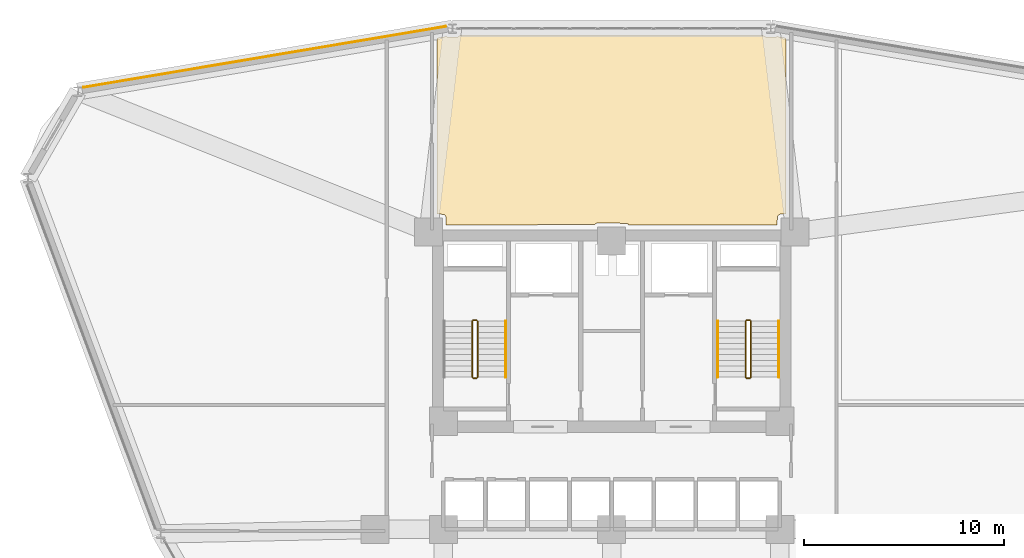
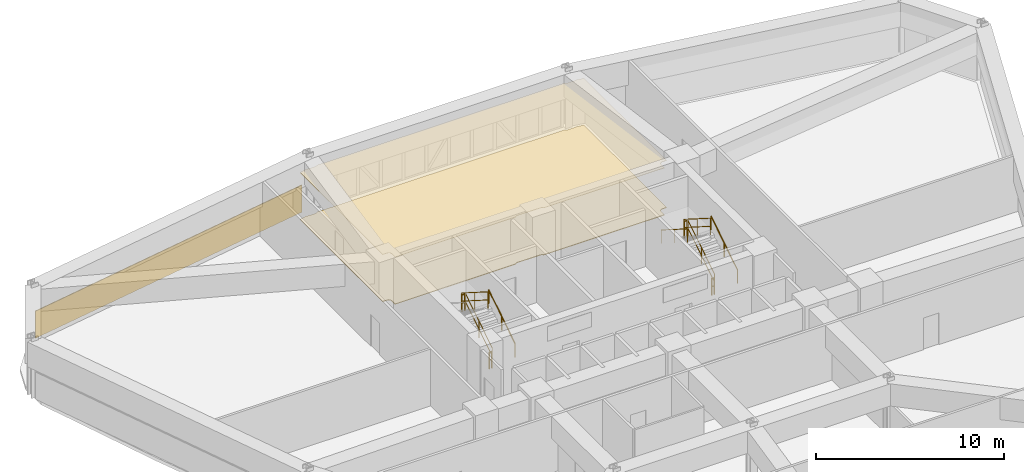
# One storey, part 19 of 20: 11 railings, 3 coverings.
"""IFC4 building model written with IfcOpenShell, lengths in metres."""

from ifc_helpers import new_model, si_unit, derived_unit, direction, frame, origin, origin_2d, place, context, subcontext, project, spatial, polyline, circle, outline, extrude, material, layer, layer_set, type_object, element, save


model = new_model("IFC4")

# Units and contexts
model_context = context("Model", 3, precision=1e-05, world=origin(), true_north=direction((0.0, 1.0)))
body_context = subcontext(model_context, "Body", "Model", "MODEL_VIEW")
ifc_project = project(units=[si_unit("LENGTHUNIT", "METRE"), si_unit("AREAUNIT", "SQUARE_METRE"), si_unit("VOLUMEUNIT", "CUBIC_METRE"), si_unit("PLANEANGLEUNIT", "RADIAN"), si_unit("MASSUNIT", "GRAM", prefix="KILO"), derived_unit("THERMALTRANSMITTANCEUNIT", [(si_unit("POWERUNIT", "WATT"), 1), (si_unit("LENGTHUNIT", "METRE"), -2), (si_unit("THERMODYNAMICTEMPERATUREUNIT", "KELVIN"), -1)])], contexts=[model_context])

# Site, building, storey
site_placement = place(None, origin())
site = spatial("IfcSite", under=ifc_project, at=site_placement, CompositionType="ELEMENT")
building_placement = place(site_placement, origin())
building = spatial("IfcBuilding", under=site, at=building_placement, Name="Korsvarv Bourse and Concert Hall", CompositionType="ELEMENT")
storey_placement = place(building_placement, frame((0.0, 0.0, 35.699951171875)))
storey = spatial("IfcBuildingStorey", under=building, at=storey_placement, Name="L08", CompositionType="ELEMENT", Elevation=35.699951171875)

# Coverings
ifc_material_1 = material(Name="Perforated mineral-wool and birch acoustic baffle ceiling", Category="wood")
ifc_layer_1 = layer(ifc_material_1, 0.02490234375)
ifc_layer_set_1 = layer_set([ifc_layer_1], Name="Perforated mineral-wool and birch acoustic baffle ceiling")
covering_type_1 = type_object("IfcCoveringType", Name="COV-CEIL-1", PredefinedType="CEILING", material=ifc_layer_set_1)
covering_1_placement = place(storey_placement, frame((0.0, 0.0, 3.06005859375)))
element("IfcCovering", 1, at=covering_1_placement, inside=storey, type_object=covering_type_1, Name="L08 acoustic baffle ceiling 3", PredefinedType="CEILING", context=body_context, shape_type="SweptSolid", body=[
    extrude(outline(polyline([(27.753173828125, 57.00537109375), (27.781494140625, 56.993408203125), (27.8154296875, 56.98583984375), (28.266845703125, 56.974609375), (28.302001953125, 56.977294921875), (28.336181640625, 56.98681640625), (28.367919921875, 57.002685546875), (28.395751953125, 57.02490234375), (28.418701171875, 57.0517578125), (43.57177734375, 57.0615234375), (43.59033203125, 57.038818359375), (43.616943359375, 57.016357421875), (43.6474609375, 56.99951171875), (43.680419921875, 56.98876953125), (43.715087890625, 56.984619140625), (44.14892578125, 56.974609375), (44.184326171875, 56.977294921875), (44.21875, 56.98681640625), (44.25048828125, 57.0029296875), (44.7099609375, 56.927490234375), (44.7099609375, 48.139892578125), (44.449951171875, 48.139892578125), (44.415283203125, 48.13671875), (44.3818359375, 48.126708984375), (44.35107421875, 48.1103515625), (44.323974609375, 48.08837890625), (44.301513671875, 48.061767578125), (44.28466796875, 48.03125), (44.274169921875, 47.998046875), (44.27001953125, 47.96337890625), (44.26318359375, 47.60009765625), (36.859619140625, 47.60009765625), (36.837646484375, 47.626708984375), (36.810791015625, 47.649169921875), (36.77978515625, 47.666015625), (36.74609375, 47.67626953125), (36.711181640625, 47.679931640625), (35.30126953125, 47.68994140625), (35.266357421875, 47.686767578125), (35.232421875, 47.677001953125), (35.201416015625, 47.66064453125), (35.174072265625, 47.638427734375), (35.1513671875, 47.611572265625), (27.739990234375, 47.60009765625), (27.739990234375, 47.949951171875), (27.736572265625, 47.984619140625), (27.726806640625, 48.01806640625), (27.71044921875, 48.048828125), (27.688720703125, 48.075927734375), (27.662109375, 48.098388671875), (27.631591796875, 48.114990234375), (27.598388671875, 48.125732421875), (27.56396484375, 48.1298828125), (27.2900390625, 48.135986328125), (27.2900390625, 56.927490234375), (27.753173828125, 57.00537109375)])), origin(), (0.0, 0.0, 1.0), 0.02490234375),
])
ifc_material_2 = material(Name="Warm iron-oxide extruded terracotta rainscreen tile", Category="ceramic")
ifc_layer_2 = layer(ifc_material_2, 0.044921875)
ifc_layer_set_2 = layer_set([ifc_layer_2], Name="Warm iron-oxide extruded terracotta rainscreen tile")
covering_type_2 = type_object("IfcCoveringType", Name="COV-CLD-TC", PredefinedType="CLADDING", material=ifc_layer_set_2)
covering_2_placement = place(storey_placement, origin())
element("IfcCovering", 2, at=covering_2_placement, inside=storey, type_object=covering_type_2, Name="L08 fluted terracotta cladding panel EW-L08-B04", PredefinedType="CLADDING", context=body_context, shape_type="SweptSolid", body=[
    extrude(outline(polyline([(27.740478515625, 57.48486328125), (9.636474609375, 54.440185546875), (9.62890625, 54.484619140625), (27.733154296875, 57.529296875), (27.740478515625, 57.48486328125)])), origin(), (0.0, 0.0, 1.0), 1.760009765625),
])
ifc_material_3 = material(Name="Calcium-sulphate raised access trading floor with Nordic oak top", Category="wood")
ifc_layer_3 = layer(ifc_material_3, 0.0400390625)
ifc_layer_set_3 = layer_set([ifc_layer_3], Name="Calcium-sulphate raised access trading floor with Nordic oak top")
covering_type_3 = type_object("IfcCoveringType", Name="COV-FLOR-1", PredefinedType="FLOORING", material=ifc_layer_set_3)
covering_3_placement = place(storey_placement, origin())
element("IfcCovering", 3, at=covering_3_placement, inside=storey, type_object=covering_type_3, Name="L08 raised access oak floor finish 3", PredefinedType="FLOORING", context=body_context, shape_type="SweptSolid", body=[
    extrude(outline(polyline([(27.753173828125, 57.00537109375), (27.781494140625, 56.993408203125), (27.8154296875, 56.98583984375), (28.266845703125, 56.974609375), (28.302001953125, 56.977294921875), (28.336181640625, 56.98681640625), (28.367919921875, 57.002685546875), (28.395751953125, 57.02490234375), (28.418701171875, 57.0517578125), (43.57177734375, 57.0615234375), (43.59033203125, 57.038818359375), (43.616943359375, 57.016357421875), (43.6474609375, 56.99951171875), (43.680419921875, 56.98876953125), (43.715087890625, 56.984619140625), (44.14892578125, 56.974609375), (44.184326171875, 56.977294921875), (44.21875, 56.98681640625), (44.25048828125, 57.0029296875), (44.7099609375, 56.927490234375), (44.7099609375, 48.139892578125), (44.449951171875, 48.139892578125), (44.415283203125, 48.13671875), (44.3818359375, 48.126708984375), (44.35107421875, 48.1103515625), (44.323974609375, 48.08837890625), (44.301513671875, 48.061767578125), (44.28466796875, 48.03125), (44.274169921875, 47.998046875), (44.27001953125, 47.96337890625), (44.26318359375, 47.60009765625), (36.859619140625, 47.60009765625), (36.837646484375, 47.626708984375), (36.810791015625, 47.649169921875), (36.77978515625, 47.666015625), (36.74609375, 47.67626953125), (36.711181640625, 47.679931640625), (35.30126953125, 47.68994140625), (35.266357421875, 47.686767578125), (35.232421875, 47.677001953125), (35.201416015625, 47.66064453125), (35.174072265625, 47.638427734375), (35.1513671875, 47.611572265625), (27.739990234375, 47.60009765625), (27.739990234375, 47.949951171875), (27.736572265625, 47.984619140625), (27.726806640625, 48.01806640625), (27.71044921875, 48.048828125), (27.688720703125, 48.075927734375), (27.662109375, 48.098388671875), (27.631591796875, 48.114990234375), (27.598388671875, 48.125732421875), (27.56396484375, 48.1298828125), (27.2900390625, 48.135986328125), (27.2900390625, 56.927490234375), (27.753173828125, 57.00537109375)])), origin(), (0.0, 0.0, 1.0), 0.0400390625),
])

# Railings
ifc_material_4 = material(Name="Painted Steel S355 stair well guardrail", Category="steel")
railing_type_1 = type_object("IfcRailingType", Name="RL-ST-GRD", PredefinedType="GUARDRAIL", material=ifc_material_4)
railing_1_placement = place(storey_placement, frame((29.31005859375, 40.0, 0.17724609375)))
element("IfcRailing", 4, at=railing_1_placement, inside=storey, type_object=railing_type_1, Name="L08 ST-T1 stair guard 1", PredefinedType="GUARDRAIL", context=body_context, shape_type="SweptSolid", body=[
    extrude(circle(Radius=0.02392578125, at=origin_2d()), frame((0.0, 0.0, 1.076171875), z_axis=(0.0, 0.844908973607, 0.534910110503), x_axis=(-1.0, 0.0, 0.0)), (0.0, 0.0, 1.0), 3.31396484375),
    extrude(circle(Radius=0.02392578125, at=origin_2d()), frame((0.0, 0.0, 0.550048828125), z_axis=(0.0, 0.844908973607, 0.534910110503), x_axis=(-1.0, 0.0, 0.0)), (0.0, 0.0, 1.0), 3.31396484375),
    extrude(circle(Radius=0.02099609375, at=origin_2d()), origin(), (0.0, 0.0, 1.0), 1.052001953125),
    extrude(circle(Radius=0.02099609375, at=origin_2d()), frame((0.0, 1.39990234375, 0.88623046875)), (0.0, 0.0, 1.0), 1.052001953125),
    extrude(circle(Radius=0.02099609375, at=origin_2d()), frame((0.0, 2.800048828125, 1.772705078125)), (0.0, 0.0, 1.0), 1.052001953125),
])
railing_2_placement = place(storey_placement, frame((29.260009765625, 42.85009765625, 1.949951171875)))
element("IfcRailing", 5, at=railing_2_placement, inside=storey, type_object=railing_type_1, Name="L08 ST-T1 stair guard 2", PredefinedType="GUARDRAIL", context=body_context, shape_type="SweptSolid", body=[
    extrude(circle(Radius=0.02392578125, at=origin_2d()), frame((0.0, 0.0, 1.076171875), z_axis=(-1.0, 0.0, 0.0), x_axis=(0.0, -1.0, 0.0)), (0.0, 0.0, 1.0), 0.159912109375),
    extrude(circle(Radius=0.02392578125, at=origin_2d()), frame((0.0, 0.0, 0.550048828125), z_axis=(-1.0, 0.0, 0.0), x_axis=(0.0, -1.0, 0.0)), (0.0, 0.0, 1.0), 0.159912109375),
    extrude(circle(Radius=0.02099609375, at=origin_2d()), origin(), (0.0, 0.0, 1.0), 1.052001953125),
    extrude(circle(Radius=0.02099609375, at=origin_2d()), frame((-0.159912109375, 0.0, 0.0)), (0.0, 0.0, 1.0), 1.052001953125),
])
railing_3_placement = place(storey_placement, frame((29.050048828125, 42.800048828125, 2.12744140625)))
element("IfcRailing", 6, at=railing_3_placement, inside=storey, type_object=railing_type_1, Name="L08 ST-T1 stair guard 3", PredefinedType="GUARDRAIL", context=body_context, shape_type="SweptSolid", body=[
    extrude(circle(Radius=0.02392578125, at=origin_2d()), frame((0.0, 0.0, 1.076171875), z_axis=(0.0, -0.844908973607, 0.534910110503), x_axis=(1.0, 0.0, 0.0)), (0.0, 0.0, 1.0), 3.31396484375),
    extrude(circle(Radius=0.02392578125, at=origin_2d()), frame((0.0, 0.0, 0.550048828125), z_axis=(0.0, -0.844908973607, 0.534910110503), x_axis=(1.0, 0.0, 0.0)), (0.0, 0.0, 1.0), 3.31396484375),
    extrude(circle(Radius=0.02099609375, at=origin_2d()), origin(), (0.0, 0.0, 1.0), 1.052001953125),
    extrude(circle(Radius=0.02099609375, at=origin_2d()), frame((0.0, -1.39990234375, 0.88623046875)), (0.0, 0.0, 1.0), 1.052001953125),
    extrude(circle(Radius=0.02099609375, at=origin_2d()), frame((0.0, -2.800048828125, 1.772705078125)), (0.0, 0.0, 1.0), 1.052001953125),
])
railing_4_placement = place(storey_placement, frame((29.260009765625, 39.949951171875, 0.0)))
element("IfcRailing", 7, at=railing_4_placement, inside=storey, type_object=railing_type_1, Name="L08 ST-T1 stair guard 4", PredefinedType="GUARDRAIL", context=body_context, shape_type="SweptSolid", body=[
    extrude(circle(Radius=0.02392578125, at=origin_2d()), frame((0.0, 0.0, 1.076171875), z_axis=(-1.0, 0.0, 0.0), x_axis=(0.0, -1.0, 0.0)), (0.0, 0.0, 1.0), 0.159912109375),
    extrude(circle(Radius=0.02392578125, at=origin_2d()), frame((0.0, 0.0, 0.550048828125), z_axis=(-1.0, 0.0, 0.0), x_axis=(0.0, -1.0, 0.0)), (0.0, 0.0, 1.0), 0.159912109375),
    extrude(circle(Radius=0.02099609375, at=origin_2d()), origin(), (0.0, 0.0, 1.0), 1.052001953125),
    extrude(circle(Radius=0.02099609375, at=origin_2d()), frame((-0.159912109375, 0.0, 0.0)), (0.0, 0.0, 1.0), 1.052001953125),
])
railing_5_placement = place(storey_placement, frame((42.949951171875, 40.0, 0.17724609375)))
element("IfcRailing", 8, at=railing_5_placement, inside=storey, type_object=railing_type_1, Name="L08 ST-T2 stair guard 1", PredefinedType="GUARDRAIL", context=body_context, shape_type="SweptSolid", body=[
    extrude(circle(Radius=0.02392578125, at=origin_2d()), frame((0.0, 0.0, 1.076171875), z_axis=(0.0, 0.844908973607, 0.534910110503), x_axis=(-1.0, 0.0, 0.0)), (0.0, 0.0, 1.0), 3.31396484375),
    extrude(circle(Radius=0.02392578125, at=origin_2d()), frame((0.0, 0.0, 0.550048828125), z_axis=(0.0, 0.844908973607, 0.534910110503), x_axis=(-1.0, 0.0, 0.0)), (0.0, 0.0, 1.0), 3.31396484375),
    extrude(circle(Radius=0.02099609375, at=origin_2d()), origin(), (0.0, 0.0, 1.0), 1.052001953125),
    extrude(circle(Radius=0.02099609375, at=origin_2d()), frame((0.0, 1.39990234375, 0.88623046875)), (0.0, 0.0, 1.0), 1.052001953125),
    extrude(circle(Radius=0.02099609375, at=origin_2d()), frame((0.0, 2.800048828125, 1.772705078125)), (0.0, 0.0, 1.0), 1.052001953125),
])
railing_6_placement = place(storey_placement, frame((42.89990234375, 42.85009765625, 1.949951171875)))
element("IfcRailing", 9, at=railing_6_placement, inside=storey, type_object=railing_type_1, Name="L08 ST-T2 stair guard 2", PredefinedType="GUARDRAIL", context=body_context, shape_type="SweptSolid", body=[
    extrude(circle(Radius=0.02392578125, at=origin_2d()), frame((0.0, 0.0, 1.076171875), z_axis=(-1.0, 0.0, 0.0), x_axis=(0.0, -1.0, 0.0)), (0.0, 0.0, 1.0), 0.159912109375),
    extrude(circle(Radius=0.02392578125, at=origin_2d()), frame((0.0, 0.0, 0.550048828125), z_axis=(-1.0, 0.0, 0.0), x_axis=(0.0, -1.0, 0.0)), (0.0, 0.0, 1.0), 0.159912109375),
    extrude(circle(Radius=0.02099609375, at=origin_2d()), origin(), (0.0, 0.0, 1.0), 1.052001953125),
    extrude(circle(Radius=0.02099609375, at=origin_2d()), frame((-0.159912109375, 0.0, 0.0)), (0.0, 0.0, 1.0), 1.052001953125),
])
railing_7_placement = place(storey_placement, frame((42.68994140625, 42.800048828125, 2.12744140625)))
element("IfcRailing", 10, at=railing_7_placement, inside=storey, type_object=railing_type_1, Name="L08 ST-T2 stair guard 3", PredefinedType="GUARDRAIL", context=body_context, shape_type="SweptSolid", body=[
    extrude(circle(Radius=0.02392578125, at=origin_2d()), frame((0.0, 0.0, 1.076171875), z_axis=(0.0, -0.844908973607, 0.534910110503), x_axis=(1.0, 0.0, 0.0)), (0.0, 0.0, 1.0), 3.31396484375),
    extrude(circle(Radius=0.02392578125, at=origin_2d()), frame((0.0, 0.0, 0.550048828125), z_axis=(0.0, -0.844908973607, 0.534910110503), x_axis=(1.0, 0.0, 0.0)), (0.0, 0.0, 1.0), 3.31396484375),
    extrude(circle(Radius=0.02099609375, at=origin_2d()), origin(), (0.0, 0.0, 1.0), 1.052001953125),
    extrude(circle(Radius=0.02099609375, at=origin_2d()), frame((0.0, -1.39990234375, 0.88623046875)), (0.0, 0.0, 1.0), 1.052001953125),
    extrude(circle(Radius=0.02099609375, at=origin_2d()), frame((0.0, -2.800048828125, 1.772705078125)), (0.0, 0.0, 1.0), 1.052001953125),
])
railing_8_placement = place(storey_placement, frame((42.89990234375, 39.949951171875, 0.0)))
element("IfcRailing", 11, at=railing_8_placement, inside=storey, type_object=railing_type_1, Name="L08 ST-T2 stair guard 4", PredefinedType="GUARDRAIL", context=body_context, shape_type="SweptSolid", body=[
    extrude(circle(Radius=0.02392578125, at=origin_2d()), frame((0.0, 0.0, 1.076171875), z_axis=(-1.0, 0.0, 0.0), x_axis=(0.0, -1.0, 0.0)), (0.0, 0.0, 1.0), 0.159912109375),
    extrude(circle(Radius=0.02392578125, at=origin_2d()), frame((0.0, 0.0, 0.550048828125), z_axis=(-1.0, 0.0, 0.0), x_axis=(0.0, -1.0, 0.0)), (0.0, 0.0, 1.0), 0.159912109375),
    extrude(circle(Radius=0.02099609375, at=origin_2d()), origin(), (0.0, 0.0, 1.0), 1.052001953125),
    extrude(circle(Radius=0.02099609375, at=origin_2d()), frame((-0.159912109375, 0.0, 0.0)), (0.0, 0.0, 1.0), 1.052001953125),
])
ifc_material_5 = material(Name="Brushed stainless Steel S355 tubular handrail", Category="steel")
railing_type_2 = type_object("IfcRailingType", Name="RL-ST-HND", PredefinedType="HANDRAIL", material=ifc_material_5)
for number, where, name in (
    (12, (30.7099609375, 40.0, 0.17724609375), "L08 ST-T1 stair handrail 1"),
    (13, (44.35009765625, 40.0, 0.17724609375), "L08 ST-T2 stair handrail 1"),
):
    element("IfcRailing", number, at=place(storey_placement, frame(where)), inside=storey, type_object=railing_type_2, Name=name, PredefinedType="HANDRAIL", context=body_context, shape_type="SweptSolid", body=[
        extrude(circle(Radius=0.02392578125, at=origin_2d()), frame((0.0, 0.0, 0.8759765625), z_axis=(0.0, 0.844908973607, 0.534910110503), x_axis=(-1.0, 0.0, 0.0)), (0.0, 0.0, 1.0), 3.31396484375),
        extrude(circle(Radius=0.02099609375, at=origin_2d()), origin(), (0.0, 0.0, 1.0), 0.851806640625),
        extrude(circle(Radius=0.02099609375, at=origin_2d()), frame((0.0, 1.39990234375, 0.88623046875)), (0.0, 0.0, 1.0), 0.851806640625),
        extrude(circle(Radius=0.02099609375, at=origin_2d()), frame((0.0, 2.800048828125, 1.772705078125)), (0.0, 0.0, 1.0), 0.851806640625),
    ])
railing_9_placement = place(storey_placement, frame((41.2900390625, 42.800048828125, 2.12744140625)))
element("IfcRailing", 14, at=railing_9_placement, inside=storey, type_object=railing_type_2, Name="L08 ST-T2 stair handrail 2", PredefinedType="HANDRAIL", context=body_context, shape_type="SweptSolid", body=[
    extrude(circle(Radius=0.02392578125, at=origin_2d()), frame((0.0, 0.0, 0.8759765625), z_axis=(0.0, -0.844908973607, 0.534910110503), x_axis=(1.0, 0.0, 0.0)), (0.0, 0.0, 1.0), 3.31396484375),
    extrude(circle(Radius=0.02099609375, at=origin_2d()), origin(), (0.0, 0.0, 1.0), 0.851806640625),
    extrude(circle(Radius=0.02099609375, at=origin_2d()), frame((0.0, -1.39990234375, 0.88623046875)), (0.0, 0.0, 1.0), 0.851806640625),
    extrude(circle(Radius=0.02099609375, at=origin_2d()), frame((0.0, -2.800048828125, 1.772705078125)), (0.0, 0.0, 1.0), 0.851806640625),
])

save(model, "model.ifc")
